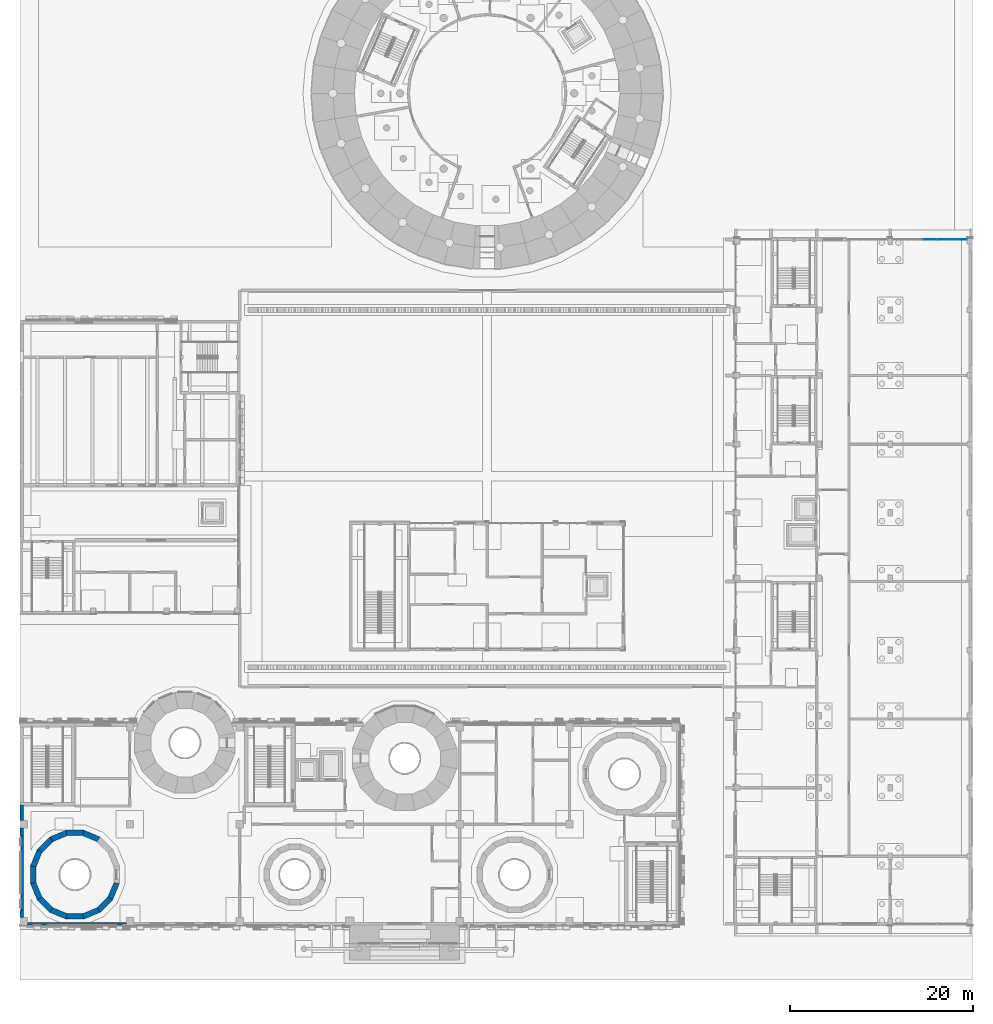
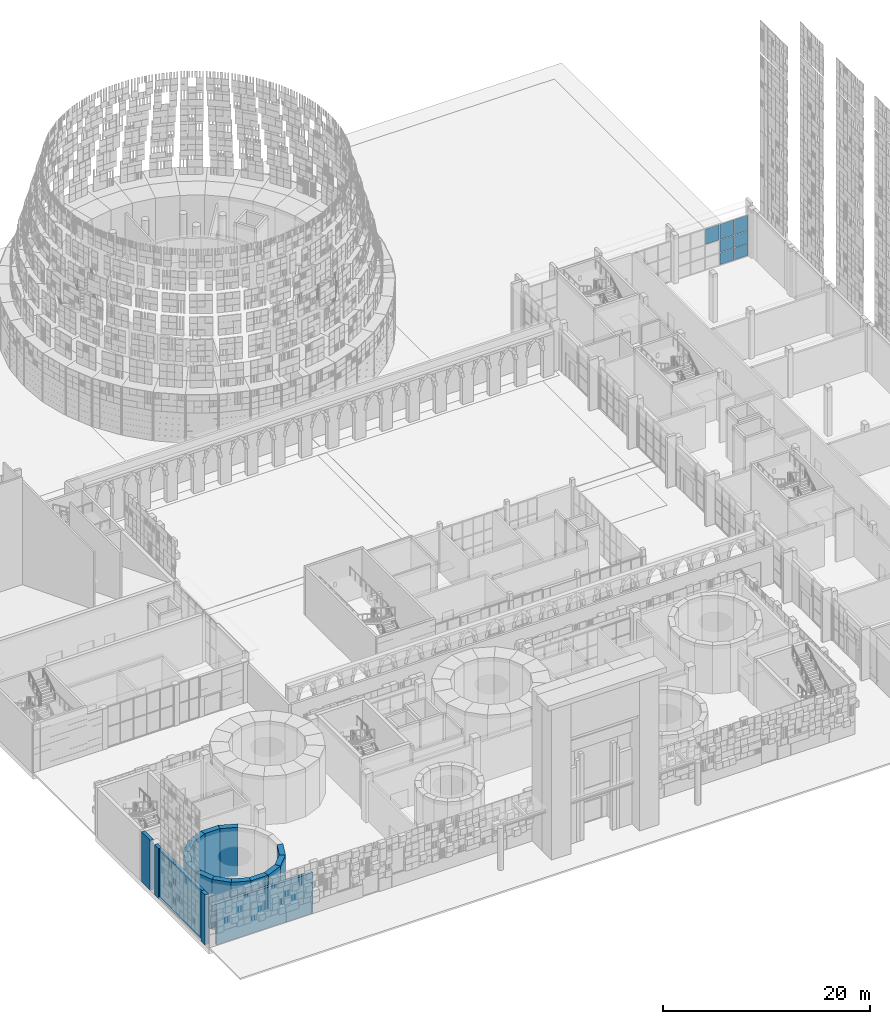
# One storey, part 46 of 125: 18 walls, 7 plates, 1 element without a shape of its own.
"""IFC4 building model written with IfcOpenShell, lengths in metres."""

import ifcopenshell
import ifcopenshell.guid

model = None  # the IFC model being written
_history = None  # IfcOwnerHistory: only IFC2X3 demands one
_inside = {}  # id of a spatial element -> (the spatial element, [elements in it])
_under = {}  # id of a project, library or spatial element -> (it, [spatial elements below it])
_declared = {}  # id of a project -> (the project, [libraries it declares])
_typed = {}  # id of a type object -> (the type object, [elements of that type])
_made_of = {}  # id of a material, layer set ... -> (it, [elements and type objects made of it])


def new_model(schema):
    """Start an empty IFC model of exactly this schema.

    Asked for "IFC4X3", IfcOpenShell would pick the latest addendum, in which some entities
    have other attributes; the version numbers below select the first issue.
    IFC2X3 requires an IfcOwnerHistory on every rooted entity: one is made here for all.
    """
    global model, _history
    if schema == "IFC4X3":
        model = ifcopenshell.file(schema_version=(4, 3, 0, 0))
    else:
        model = ifcopenshell.file(schema=schema)
    _inside.clear()
    _under.clear()
    _declared.clear()
    _typed.clear()
    _made_of.clear()
    _history = None
    if model.schema == "IFC2X3":
        org = make("IfcOrganization", Name="unknown")
        user = make(
            "IfcPersonAndOrganization",
            ThePerson=make("IfcPerson", FamilyName="unknown"),
            TheOrganization=org,
        )
        app = make(
            "IfcApplication",
            ApplicationDeveloper=org,
            Version="unknown",
            ApplicationFullName="unknown",
            ApplicationIdentifier="unknown",
        )
        _history = make(
            "IfcOwnerHistory",
            OwningUser=user,
            OwningApplication=app,
            ChangeAction="ADDED",
            CreationDate=0,
        )
    return model


def make(cls, **values):
    """One entity of the class cls with the attributes given. An attribute that is None is left unset."""
    return model.create_entity(
        cls, **{name: value for name, value in values.items() if value is not None}
    )


def rooted(cls, **values):
    """An entity with a GlobalId (a new one), such as an element, a storey or a relation."""
    return make(cls, GlobalId=ifcopenshell.guid.new(), OwnerHistory=_history, **values)


def si_unit(unit_type, name, prefix=None):
    """IfcSIUnit, for example si_unit("LENGTHUNIT", "METRE", prefix="MILLI")."""
    return make("IfcSIUnit", UnitType=unit_type, Prefix=prefix, Name=name)


def assignment(units):
    """IfcUnitAssignment: the units of a project."""
    return None if units is None else make("IfcUnitAssignment", Units=units)


def point(xyz):
    """IfcCartesianPoint."""
    return None if xyz is None else make("IfcCartesianPoint", Coordinates=xyz)


def direction(xyz):
    """IfcDirection."""
    return None if xyz is None else make("IfcDirection", DirectionRatios=xyz)


def frame(location, z_axis=None, x_axis=None):
    """IfcAxis2Placement3D, a coordinate frame: its origin and axes. An axis left out is left unset."""
    return make(
        "IfcAxis2Placement3D",
        Location=point(location),
        Axis=direction(z_axis),
        RefDirection=direction(x_axis),
    )


def frame_2d(location, x_axis=None):
    """IfcAxis2Placement2D, a coordinate frame in the plane: its origin and x axis."""
    return make(
        "IfcAxis2Placement2D", Location=point(location), RefDirection=direction(x_axis)
    )


def origin():
    """The frame at (0, 0, 0) with its axes left unset."""
    return frame((0.0, 0.0, 0.0))


def origin_2d():
    """The frame at (0, 0) in the plane with its x axis left unset."""
    return frame_2d((0.0, 0.0))


def place(relative_to, where):
    """IfcLocalPlacement: puts the frame where relative to a parent placement (None: the world)."""
    return make(
        "IfcLocalPlacement", PlacementRelTo=relative_to, RelativePlacement=where
    )


def context(
    kind, dimensions, precision=None, world=None, true_north=None, identifier=None
):
    """IfcGeometricRepresentationContext, for example the 3D "Model" context."""
    return make(
        "IfcGeometricRepresentationContext",
        ContextIdentifier=identifier,
        ContextType=kind,
        CoordinateSpaceDimension=dimensions,
        Precision=precision,
        WorldCoordinateSystem=world,
        TrueNorth=true_north,
    )


def subcontext(parent, identifier, kind, view, scale=None):
    """IfcGeometricRepresentationSubContext, for example "Body" below "Model"."""
    return make(
        "IfcGeometricRepresentationSubContext",
        ContextIdentifier=identifier,
        ContextType=kind,
        ParentContext=parent,
        TargetScale=scale,
        TargetView=view,
    )


def project(units=None, contexts=None):
    """IfcProject with its units and contexts."""
    return rooted(
        "IfcProject",
        Name="project",
        RepresentationContexts=contexts,
        UnitsInContext=assignment(units),
    )


def spatial(cls, under=None, at=None, **own):
    """A site, building, storey or space (cls), placed at a placement, below another one or the project."""
    s = rooted(cls, ObjectPlacement=at, **own)
    if under is not None:
        _under.setdefault(under.id(), (under, []))[1].append(s)
    return s


def polyline(points):
    """IfcPolyline through the points."""
    return make("IfcPolyline", Points=[point(p) for p in points])


def profile(cls, at=None, kind="AREA", **sizes):
    """A parametric profile (cls). Its sizes go by their IFC names, for example OverallWidth=200.0."""
    return make(cls, ProfileType=kind, Position=at, **sizes)


def rectangle(**sizes):
    """IfcRectangleProfileDef."""
    return profile("IfcRectangleProfileDef", **sizes)


def outline(outer, holes=None, kind="AREA"):
    """IfcArbitraryClosedProfileDef: a profile drawn as a closed curve; with holes, ...WithVoids."""
    if holes is None:
        return make("IfcArbitraryClosedProfileDef", ProfileType=kind, OuterCurve=outer)
    return make(
        "IfcArbitraryProfileDefWithVoids",
        ProfileType=kind,
        OuterCurve=outer,
        InnerCurves=holes,
    )


def extrude(swept, where, along, depth):
    """IfcExtrudedAreaSolid: the profile swept, set in the frame where, extruded along a direction by depth."""
    return make(
        "IfcExtrudedAreaSolid",
        SweptArea=swept,
        Position=where,
        ExtrudedDirection=direction(along),
        Depth=depth,
    )


def shape(context_of_items, identifier, shape_type, items):
    """IfcShapeRepresentation: the items that make up one representation, for example the "Body"."""
    return make(
        "IfcShapeRepresentation",
        ContextOfItems=context_of_items,
        RepresentationIdentifier=identifier,
        RepresentationType=shape_type,
        Items=items,
    )


def material(Name=None, Category=None):
    """IfcMaterial."""
    return make("IfcMaterial", Name=Name, Category=Category)


def layer(
    of_material, thickness, ventilated=None, Name=None, Category=None, Priority=None
):
    """IfcMaterialLayer: one layer of a wall or slab, of a material (None: an air gap)."""
    return make(
        "IfcMaterialLayer",
        Material=of_material,
        LayerThickness=thickness,
        IsVentilated=ventilated,
        Name=Name,
        Category=Category,
        Priority=Priority,
    )


def layer_set(layers, Name=None):
    """IfcMaterialLayerSet."""
    return make("IfcMaterialLayerSet", MaterialLayers=layers, LayerSetName=Name)


def made_of(thing, what):
    """Note that an element or type object is made of a material, layer set ...; save() writes the relation."""
    if what is not None:
        _made_of.setdefault(what.id(), (what, []))[1].append(thing)
    return thing


def type_object(cls, material=None, **own):
    """A type object (cls), such as IfcWallType, which elements share."""
    return made_of(rooted(cls, **own), material)


def element(
    cls,
    number,
    at=None,
    inside=None,
    cuts=None,
    type_object=None,
    material=None,
    context=None,
    identifier="Body",
    shape_type=None,
    held_by="IfcProductDefinitionShape",
    body=None,
    shapes=None,
    **own,
):
    """One element of the class cls, such as IfcWall. Its Tag is "e" and its number.

    at: its placement. inside: the storey or other place that contains it. cuts: it is an
    opening in that element (IfcRelVoidsElement). A single representation is given by context,
    identifier, shape_type and body (its items); several are given by shapes. held_by: the class
    of the entity that holds the representations. save() writes the other relations.
    """
    e = rooted(cls, Tag="e%d" % number, ObjectPlacement=at, **own)
    if body is not None:
        shapes = [shape(context, identifier, shape_type, body)]
    if shapes is not None:
        e.Representation = make(held_by, Representations=shapes)
    if inside is not None:
        _inside.setdefault(inside.id(), (inside, []))[1].append(e)
    if cuts is not None:
        rooted(
            "IfcRelVoidsElement", RelatingBuildingElement=cuts, RelatedOpeningElement=e
        )
    if type_object is not None:
        _typed.setdefault(type_object.id(), (type_object, []))[1].append(e)
    return made_of(e, material)


def aggregate(whole, parts):
    """IfcRelAggregates: a whole, such as a stair, and the parts it consists of."""
    return rooted("IfcRelAggregates", RelatingObject=whole, RelatedObjects=parts)


def save(model, path):
    """Write the relations noted so far, then the file.

    IfcRelAggregates (storeys below a building ...), IfcRelContainedInSpatialStructure (elements
    in a storey), IfcRelDefinesByType, IfcRelAssociatesMaterial and IfcRelDeclares: one each for
    every whole, place, type object, material and project.
    """
    for whole, parts in _under.values():
        aggregate(whole, parts)
    for where, things in _inside.values():
        rooted(
            "IfcRelContainedInSpatialStructure",
            RelatedElements=things,
            RelatingStructure=where,
        )
    for kind, things in _typed.values():
        rooted("IfcRelDefinesByType", RelatedObjects=things, RelatingType=kind)
    for what, things in _made_of.values():
        rooted("IfcRelAssociatesMaterial", RelatedObjects=things, RelatingMaterial=what)
    for by, libraries in _declared.values():
        rooted("IfcRelDeclares", RelatingContext=by, RelatedDefinitions=libraries)
    model.write(path)


model = new_model("IFC4")

# Units and contexts
model_context = context("Model", 3, precision=1e-05, world=origin(), true_north=direction((0.0, 1.0)))
body_context = subcontext(model_context, "Body", "Model", "MODEL_VIEW")
ifc_project = project(units=[si_unit("LENGTHUNIT", "METRE"), si_unit("AREAUNIT", "SQUARE_METRE"), si_unit("VOLUMEUNIT", "CUBIC_METRE"), si_unit("PLANEANGLEUNIT", "RADIAN"), si_unit("MASSUNIT", "GRAM", prefix="KILO")], contexts=[model_context])

# Site, building, storey
site_placement = place(None, origin())
site = spatial("IfcSite", under=ifc_project, at=site_placement, CompositionType="ELEMENT")
building_placement = place(site_placement, origin())
building = spatial("IfcBuilding", under=site, at=building_placement, Name="Sun Court Science Centre", CompositionType="ELEMENT")
storey_placement = place(building_placement, origin())
storey = spatial("IfcBuildingStorey", under=building, at=storey_placement, Name="L00", CompositionType="ELEMENT", Elevation=0.0)

# Curtain wall, plates
ifc_material_1 = material(Name="Aluminium EN AW-6063 T6", Category="aluminium")
curtain_wall_type = type_object("IfcCurtainWallType", Name="Laboratory tall bay curtain wall 1500", PredefinedType="NOTDEFINED", material=ifc_material_1)
curtain_wall_placement = place(storey_placement, origin())
curtain_wall = element("IfcCurtainWall", 1, at=curtain_wall_placement, inside=storey, type_object=curtain_wall_type, Name="Curtain wall V4 N L00 03", PredefinedType="NOTDEFINED")
ifc_material_2 = material(Name="Solar-control glass", Category="glass")
ifc_layer_1 = layer(ifc_material_2, 0.028076171875)
ifc_layer_set_1 = layer_set([ifc_layer_1], Name="Solar-control glass")
plate_type = type_object("IfcPlateType", Name="Solar-control glazing panel 8-12-8", PredefinedType="CURTAIN_PANEL", material=ifc_layer_set_1)
plate_1_placement = place(storey_placement, frame((100.955078125, 80.85009765625, 0.06005859375), z_axis=(0.0, 0.0, 1.0), x_axis=(1.0, 0.0, 0.0)))
plate_1 = element("IfcPlate", 2, at=plate_1_placement, type_object=plate_type, Name="CW2-63 panel 4.1", PredefinedType="CURTAIN_PANEL", context=body_context, shape_type="SweptSolid", body=[
    extrude(rectangle(XDim=1.570068359375, YDim=0.028076171875, at=origin_2d()), origin(), (0.0, 0.0, 1.0), 1.409912109375),
])
plate_2_placement = place(storey_placement, frame((102.570068359375, 80.85009765625, 0.06005859375), z_axis=(0.0, 0.0, 1.0), x_axis=(1.0, 0.0, 0.0)))
plate_2 = element("IfcPlate", 3, at=plate_2_placement, type_object=plate_type, Name="CW2-63 panel 5.1", PredefinedType="CURTAIN_PANEL", context=body_context, shape_type="SweptSolid", body=[
    extrude(rectangle(XDim=1.5400390625, YDim=0.028076171875, at=origin_2d()), origin(), (0.0, 0.0, 1.0), 1.409912109375),
])
plate_3_placement = place(storey_placement, frame((100.955078125, 80.85009765625, 1.530029296875), z_axis=(0.0, 0.0, 1.0), x_axis=(1.0, 0.0, 0.0)))
plate_3 = element("IfcPlate", 4, at=plate_3_placement, type_object=plate_type, Name="CW2-63 panel 4.2", PredefinedType="CURTAIN_PANEL", context=body_context, shape_type="SweptSolid", body=[
    extrude(rectangle(XDim=1.570068359375, YDim=0.028076171875, at=origin_2d()), origin(), (0.0, 0.0, 1.0), 1.43994140625),
])
plate_4_placement = place(storey_placement, frame((102.570068359375, 80.85009765625, 1.530029296875), z_axis=(0.0, 0.0, 1.0), x_axis=(1.0, 0.0, 0.0)))
plate_4 = element("IfcPlate", 5, at=plate_4_placement, type_object=plate_type, Name="CW2-63 panel 5.2", PredefinedType="CURTAIN_PANEL", context=body_context, shape_type="SweptSolid", body=[
    extrude(rectangle(XDim=1.5400390625, YDim=0.028076171875, at=origin_2d()), origin(), (0.0, 0.0, 1.0), 1.43994140625),
])
plate_5_placement = place(storey_placement, frame((99.324951171875, 80.85009765625, 3.030029296875), z_axis=(0.0, 0.0, 1.0), x_axis=(1.0, 0.0, 0.0)))
plate_5 = element("IfcPlate", 6, at=plate_5_placement, type_object=plate_type, Name="CW2-63 panel 3.3", PredefinedType="CURTAIN_PANEL", context=body_context, shape_type="SweptSolid", body=[
    extrude(rectangle(XDim=1.570068359375, YDim=0.028076171875, at=origin_2d()), origin(), (0.0, 0.0, 1.0), 1.81005859375),
])
plate_6_placement = place(storey_placement, frame((100.955078125, 80.85009765625, 3.030029296875), z_axis=(0.0, 0.0, 1.0), x_axis=(1.0, 0.0, 0.0)))
plate_6 = element("IfcPlate", 7, at=plate_6_placement, type_object=plate_type, Name="CW2-63 panel 4.3", PredefinedType="CURTAIN_PANEL", context=body_context, shape_type="SweptSolid", body=[
    extrude(rectangle(XDim=1.570068359375, YDim=0.028076171875, at=origin_2d()), origin(), (0.0, 0.0, 1.0), 1.81005859375),
])
plate_7_placement = place(storey_placement, frame((102.570068359375, 80.85009765625, 3.030029296875), z_axis=(0.0, 0.0, 1.0), x_axis=(1.0, 0.0, 0.0)))
plate_7 = element("IfcPlate", 8, at=plate_7_placement, type_object=plate_type, Name="CW2-63 panel 5.3", PredefinedType="CURTAIN_PANEL", context=body_context, shape_type="SweptSolid", body=[
    extrude(rectangle(XDim=1.5400390625, YDim=0.028076171875, at=origin_2d()), origin(), (0.0, 0.0, 1.0), 1.81005859375),
])
aggregate(curtain_wall, [plate_1, plate_2, plate_3, plate_4, plate_5, plate_6, plate_7])

# Walls
ifc_material_3 = material(Name="Clay masonry", Category="masonry")
ifc_layer_2 = layer(ifc_material_3, 0.300048828125)
ifc_layer_set_2 = layer_set([ifc_layer_2], Name="Clay masonry")
wall_type_1 = type_object("IfcWallType", Name="Clay masonry infill wall 300", PredefinedType="SOLIDWALL", material=ifc_layer_set_2)
wall_1_placement = place(storey_placement, frame((11.60009765625, 6.14990234375, 0.0), z_axis=(0.0, 0.0, 1.0), x_axis=(-1.0, 0.0, 0.0)))
element("IfcWall", 9, at=wall_1_placement, inside=storey, type_object=wall_type_1, Name="External infill wall L00 south face 06", PredefinedType="SOLIDWALL", context=body_context, shape_type="SweptSolid", body=[
    extrude(rectangle(XDim=10.800048828125, YDim=0.300048828125, at=frame_2d((5.39990234375, 0.0))), origin(), (0.0, 0.0, 1.0), 4.800048828125),
])
ifc_material_4 = material(Name="Concrete C30/37", Category="concrete")
ifc_layer_3 = layer(ifc_material_4, 0.60009765625)
ifc_layer_set_3 = layer_set([ifc_layer_3], Name="Concrete C30/37")
wall_type_2 = type_object("IfcWallType", Name="RC cone ring wall 600", PredefinedType="SHEAR", material=ifc_layer_set_3)
wall_2_placement = place(storey_placement, frame((8.63525390625, 15.338623046875, -0.199951171875), z_axis=(0.0, 0.0, 1.0), x_axis=(-0.923901292417, 0.382630895081, 0.0)))
element("IfcWall", 10, at=wall_2_placement, inside=storey, type_object=wall_type_2, Name="Cone 1 ring wall L00 segment 3", PredefinedType="SHEAR", context=body_context, shape_type="SweptSolid", body=[
    extrude(outline(polyline([(0.0, -0.2998046875), (1.931396484375, -0.30029296875), (1.812255859375, 0.300048828125), (0.119384765625, 0.300048828125), (0.0, -0.2998046875)])), origin(), (0.0, 0.0, 1.0), 5.89990234375),
])
wall_3_placement = place(storey_placement, frame((6.965576171875, 16.054931640625, -0.199951171875), z_axis=(0.0, 0.0, 1.0), x_axis=(-1.0, 0.0, 0.0)))
element("IfcWall", 11, at=wall_3_placement, inside=storey, type_object=wall_type_2, Name="Cone 1 ring wall L00 segment 4", PredefinedType="SHEAR", context=body_context, shape_type="SweptSolid", body=[
    extrude(outline(polyline([(-0.000244140625, -0.300048828125), (1.931396484375, -0.300048828125), (1.811767578125, 0.300048828125), (0.119384765625, 0.300048828125), (-0.000244140625, -0.300048828125)])), origin(), (0.0, 0.0, 1.0), 5.89990234375),
])
wall_4_placement = place(storey_placement, frame((5.149169921875, 16.07763671875, -0.199951171875), z_axis=(0.0, 0.0, 1.0), x_axis=(-0.923901292417, -0.382630895081, 0.0)))
element("IfcWall", 12, at=wall_4_placement, inside=storey, type_object=wall_type_2, Name="Cone 1 ring wall L00 segment 5", PredefinedType="SHEAR", context=body_context, shape_type="SweptSolid", body=[
    extrude(outline(polyline([(0.0, -0.30029296875), (1.931396484375, -0.2998046875), (1.81201171875, 0.300048828125), (0.119140625, 0.300048828125), (0.0, -0.30029296875)])), origin(), (0.0, 0.0, 1.0), 5.89990234375),
])
wall_5_placement = place(storey_placement, frame((3.462158203125, 15.403564453125, -0.199951171875), z_axis=(0.0, 0.0, 1.0), x_axis=(-0.707106781187, -0.707106781187, 0.0)))
element("IfcWall", 13, at=wall_5_placement, inside=storey, type_object=wall_type_2, Name="Cone 1 ring wall L00 segment 6", PredefinedType="SHEAR", context=body_context, shape_type="SweptSolid", body=[
    extrude(outline(polyline([(0.0, -0.300048828125), (1.931396484375, -0.300048828125), (1.81201171875, 0.2998046875), (0.119384765625, 0.2998046875), (0.0, -0.300048828125)])), origin(), (0.0, 0.0, 1.0), 5.89990234375),
])
wall_6_placement = place(storey_placement, frame((2.161376953125, 14.13525390625, -0.199951171875), z_axis=(0.0, 0.0, 1.0), x_axis=(-0.382630895081, -0.923901292417, 0.0)))
element("IfcWall", 14, at=wall_6_placement, inside=storey, type_object=wall_type_2, Name="Cone 1 ring wall L00 segment 7", PredefinedType="SHEAR", context=body_context, shape_type="SweptSolid", body=[
    extrude(outline(polyline([(0.0, -0.2998046875), (1.931396484375, -0.30029296875), (1.812255859375, 0.300048828125), (0.119384765625, 0.300048828125), (0.0, -0.2998046875)])), origin(), (0.0, 0.0, 1.0), 5.89990234375),
])
wall_7_placement = place(storey_placement, frame((1.445068359375, 12.465576171875, -0.199951171875), z_axis=(0.0, 0.0, 1.0), x_axis=(0.0, -1.0, 0.0)))
element("IfcWall", 15, at=wall_7_placement, inside=storey, type_object=wall_type_2, Name="Cone 1 ring wall L00 segment 8", PredefinedType="SHEAR", context=body_context, shape_type="SweptSolid", body=[
    extrude(outline(polyline([(-0.000244140625, -0.300048828125), (1.931396484375, -0.300048828125), (1.811767578125, 0.300048828125), (0.119384765625, 0.300048828125), (-0.000244140625, -0.300048828125)])), origin(), (0.0, 0.0, 1.0), 5.89990234375),
])
wall_8_placement = place(storey_placement, frame((1.42236328125, 10.649169921875, -0.199951171875), z_axis=(0.0, 0.0, 1.0), x_axis=(0.382630895081, -0.923901292417, 0.0)))
element("IfcWall", 16, at=wall_8_placement, inside=storey, type_object=wall_type_2, Name="Cone 1 ring wall L00 segment 9", PredefinedType="SHEAR", context=body_context, shape_type="SweptSolid", body=[
    extrude(outline(polyline([(0.0, -0.30029296875), (1.931396484375, -0.2998046875), (1.81201171875, 0.300048828125), (0.119140625, 0.300048828125), (0.0, -0.30029296875)])), origin(), (0.0, 0.0, 1.0), 5.89990234375),
])
wall_9_placement = place(storey_placement, frame((2.096435546875, 8.962158203125, -0.199951171875), z_axis=(0.0, 0.0, 1.0), x_axis=(0.707106781187, -0.707106781187, 0.0)))
element("IfcWall", 17, at=wall_9_placement, inside=storey, type_object=wall_type_2, Name="Cone 1 ring wall L00 segment 10", PredefinedType="SHEAR", context=body_context, shape_type="SweptSolid", body=[
    extrude(outline(polyline([(0.0, -0.300048828125), (1.931396484375, -0.300048828125), (1.81201171875, 0.2998046875), (0.119384765625, 0.2998046875), (0.0, -0.300048828125)])), origin(), (0.0, 0.0, 1.0), 5.89990234375),
])
wall_10_placement = place(storey_placement, frame((3.36474609375, 7.661376953125, -0.199951171875), z_axis=(0.0, 0.0, 1.0), x_axis=(0.923901292417, -0.382630895081, 0.0)))
element("IfcWall", 18, at=wall_10_placement, inside=storey, type_object=wall_type_2, Name="Cone 1 ring wall L00 segment 11", PredefinedType="SHEAR", context=body_context, shape_type="SweptSolid", body=[
    extrude(outline(polyline([(0.0, -0.2998046875), (1.931396484375, -0.30029296875), (1.812255859375, 0.300048828125), (0.119384765625, 0.300048828125), (0.0, -0.2998046875)])), origin(), (0.0, 0.0, 1.0), 5.89990234375),
])
wall_11_placement = place(storey_placement, frame((5.034423828125, 6.945068359375, -0.199951171875), z_axis=(0.0, 0.0, 1.0), x_axis=(1.0, 0.0, 0.0)))
element("IfcWall", 19, at=wall_11_placement, inside=storey, type_object=wall_type_2, Name="Cone 1 ring wall L00 segment 12", PredefinedType="SHEAR", context=body_context, shape_type="SweptSolid", body=[
    extrude(outline(polyline([(-0.000244140625, -0.300048828125), (1.931396484375, -0.300048828125), (1.811767578125, 0.300048828125), (0.119384765625, 0.300048828125), (-0.000244140625, -0.300048828125)])), origin(), (0.0, 0.0, 1.0), 5.89990234375),
])
wall_12_placement = place(storey_placement, frame((6.850830078125, 6.92236328125, -0.199951171875), z_axis=(0.0, 0.0, 1.0), x_axis=(0.923901292417, 0.382630895081, 0.0)))
element("IfcWall", 20, at=wall_12_placement, inside=storey, type_object=wall_type_2, Name="Cone 1 ring wall L00 segment 13", PredefinedType="SHEAR", context=body_context, shape_type="SweptSolid", body=[
    extrude(outline(polyline([(0.0, -0.30029296875), (1.931396484375, -0.2998046875), (1.81201171875, 0.300048828125), (0.119140625, 0.300048828125), (0.0, -0.30029296875)])), origin(), (0.0, 0.0, 1.0), 5.89990234375),
])
wall_13_placement = place(storey_placement, frame((8.537841796875, 7.596435546875, -0.199951171875), z_axis=(0.0, 0.0, 1.0), x_axis=(0.707106781187, 0.707106781187, 0.0)))
element("IfcWall", 21, at=wall_13_placement, inside=storey, type_object=wall_type_2, Name="Cone 1 ring wall L00 segment 14", PredefinedType="SHEAR", context=body_context, shape_type="SweptSolid", body=[
    extrude(outline(polyline([(0.0, -0.300048828125), (1.931396484375, -0.300048828125), (1.81201171875, 0.2998046875), (0.119384765625, 0.2998046875), (0.0, -0.300048828125)])), origin(), (0.0, 0.0, 1.0), 5.89990234375),
])
wall_14_placement = place(storey_placement, frame((9.838623046875, 8.86474609375, -0.199951171875), z_axis=(0.0, 0.0, 1.0), x_axis=(0.382630895081, 0.923901292417, 0.0)))
element("IfcWall", 22, at=wall_14_placement, inside=storey, type_object=wall_type_2, Name="Cone 1 ring wall L00 segment 15", PredefinedType="SHEAR", context=body_context, shape_type="SweptSolid", body=[
    extrude(outline(polyline([(0.0, -0.2998046875), (1.931396484375, -0.30029296875), (1.812255859375, 0.300048828125), (0.119384765625, 0.300048828125), (0.0, -0.2998046875)])), origin(), (0.0, 0.0, 1.0), 5.89990234375),
])
ifc_material_5 = material(Name="Concrete C30/37", Category="concrete")
ifc_layer_4 = layer(ifc_material_5, 0.39990234375)
ifc_layer_set_4 = layer_set([ifc_layer_4], Name="Concrete C30/37")
wall_type_3 = type_object("IfcWallType", Name="RC party wall exterior 400", PredefinedType="SOLIDWALL", material=ifc_layer_set_4)
for number, where, z_axis, x_axis, name in (
    (23, (0.199951171875, 6.800048828125, -0.199951171875), (0.0, 0.0, 1.0), (0.0, 1.0, 0.0), "West party wall L00"),
    (24, (0.199951171875, 15.800048828125, -0.199951171875), (0.0, 0.0, 1.0), (0.0, 1.0, 0.0), "West party wall L00"),
):
    element("IfcWall", number, at=place(storey_placement, frame(where, z_axis=z_axis, x_axis=x_axis)), inside=storey, type_object=wall_type_3, Name=name, PredefinedType="SOLIDWALL", context=body_context, shape_type="SweptSolid", body=[
        extrude(rectangle(XDim=0.800048828125, YDim=0.39990234375, at=frame_2d((0.39990234375, 0.0))), origin(), (0.0, 0.0, 1.0), 5.89990234375),
    ])
wall_15_placement = place(storey_placement, frame((0.199951171875, 17.39990234375, -0.199951171875), z_axis=(0.0, 0.0, 1.0), x_axis=(0.0, 1.0, 0.0)))
element("IfcWall", 25, at=wall_15_placement, inside=storey, type_object=wall_type_3, Name="West party wall L00", PredefinedType="SOLIDWALL", context=body_context, shape_type="SweptSolid", body=[
    extrude(rectangle(XDim=1.7001953125, YDim=0.39990234375, at=frame_2d((0.85009765625, 0.0))), origin(), (0.0, 0.0, 1.0), 5.89990234375),
])
ifc_material_6 = material(Name="Concrete C30/37", Category="concrete")
ifc_layer_5 = layer(ifc_material_6, 0.300048828125)
ifc_layer_set_5 = layer_set([ifc_layer_5], Name="Concrete C30/37")
wall_type_4 = type_object("IfcWallType", Name="RC party wall panel exterior 300", PredefinedType="SOLIDWALL", material=ifc_layer_set_5)
wall_16_placement = place(storey_placement, frame((0.25, 7.60009765625, -0.199951171875), z_axis=(0.0, 0.0, 1.0), x_axis=(0.0, 1.0, 0.0)))
element("IfcWall", 26, at=wall_16_placement, inside=storey, type_object=wall_type_4, Name="West party wall L00 panel", PredefinedType="SOLIDWALL", context=body_context, shape_type="SweptSolid", body=[
    extrude(rectangle(XDim=8.199951171875, YDim=0.300048828125, at=frame_2d((4.10009765625, 0.0))), origin(), (0.0, 0.0, 1.0), 5.89990234375),
])

save(model, "model.ifc")
